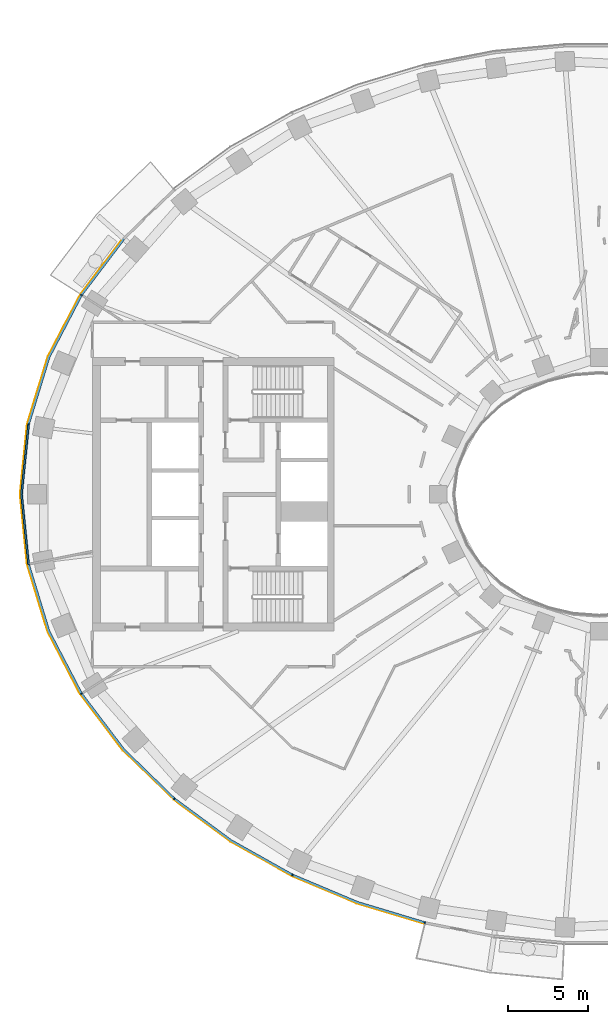
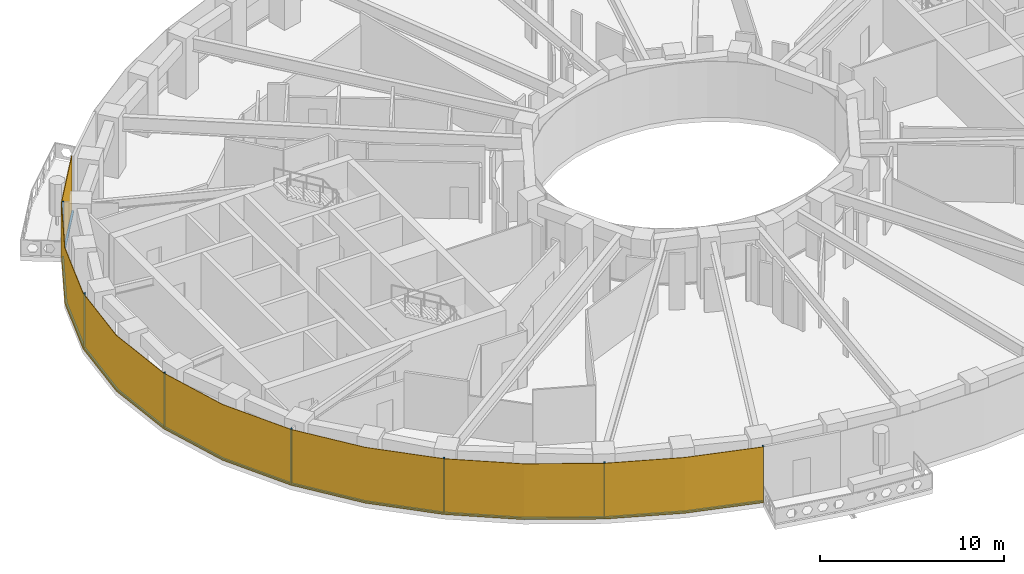
# One storey, part 8 of 16: 14 members, 1 curtain wall.
"""IFC4 building model written with IfcOpenShell, lengths in metres."""

from ifc_helpers import new_model, si_unit, direction, frame, origin, origin_2d, place, context, subcontext, project, spatial, polyline, rectangle, outline, extrude, material, layer, layer_set, material_profile, profile_set, type_object, element, aggregate, save


model = new_model("IFC4")

# Units and contexts
model_context = context("Model", 3, precision=1e-05, world=origin(), true_north=direction((0.0, 1.0)))
body_context = subcontext(model_context, "Body", "Model", "MODEL_VIEW")
ifc_project = project(units=[si_unit("LENGTHUNIT", "METRE"), si_unit("AREAUNIT", "SQUARE_METRE"), si_unit("VOLUMEUNIT", "CUBIC_METRE"), si_unit("PLANEANGLEUNIT", "RADIAN"), si_unit("MASSUNIT", "GRAM", prefix="KILO")], contexts=[model_context])

# Member
ifc_material_1 = material(Name="Aluminium 6063-T6 black anodised", Category="aluminium")
ifc_material_profile = material_profile(ifc_material_1, rectangle(XDim=0.1201171875, YDim=0.06005859375, at=origin_2d()), Name="120x60")
ifc_profile_set = profile_set([ifc_material_profile], Name="Aluminium 6063-T6 black anodised")
member_type_1 = type_object("IfcMemberType", Name="ENV-MULLION-A-120", PredefinedType="MULLION", material=ifc_profile_set)
site_placement = place(None, origin())
building_placement = place(site_placement, origin())
storey_placement = place(building_placement, frame((0.0, 0.0, 154.0)))
member_1_placement = place(storey_placement, frame((-32.177490234375, 12.385498046875, 0.0), z_axis=(0.0, 0.0, 1.0), x_axis=(0.844829880882, -0.53503501976, 0.0)))
member_1 = element("IfcMember", 1, at=member_1_placement, type_object=member_type_1, Name="Mullion A radial 21", PredefinedType="MULLION", context=body_context, shape_type="SweptSolid", body=[
    extrude(rectangle(XDim=0.1201171875, YDim=0.06005859375, at=origin_2d()), origin(), (0.0, 0.0, 1.0), 3.699951171875),
])

member_2_placement = place(storey_placement, frame((-35.470947265625, 4.340576171875, 0.0), z_axis=(0.0, 0.0, 1.0), x_axis=(0.980379083141, -0.19712141776, 0.0)))
member_2 = element("IfcMember", 2, at=member_2_placement, type_object=member_type_1, Name="Mullion A radial 23", PredefinedType="MULLION", context=body_context, shape_type="SweptSolid", body=[
    extrude(rectangle(XDim=0.1201171875, YDim=0.06005859375, at=origin_2d()), origin(), (0.0, 0.0, 1.0), 3.699951171875),
])

member_3_placement = place(storey_placement, frame((-35.470947265625, -4.340576171875, 0.0), z_axis=(0.0, 0.0, 1.0), x_axis=(0.980379083141, 0.19712141776, 0.0)))
member_3 = element("IfcMember", 3, at=member_3_placement, type_object=member_type_1, Name="Mullion A radial 25", PredefinedType="MULLION", context=body_context, shape_type="SweptSolid", body=[
    extrude(rectangle(XDim=0.1201171875, YDim=0.06005859375, at=origin_2d()), origin(), (0.0, 0.0, 1.0), 3.699951171875),
])

member_4_placement = place(storey_placement, frame((-32.177490234375, -12.385498046875, 0.0), z_axis=(0.0, 0.0, 1.0), x_axis=(0.844829880882, 0.53503501976, 0.0)))
member_4 = element("IfcMember", 4, at=member_4_placement, type_object=member_type_1, Name="Mullion A radial 27", PredefinedType="MULLION", context=body_context, shape_type="SweptSolid", body=[
    extrude(rectangle(XDim=0.1201171875, YDim=0.06005859375, at=origin_2d()), origin(), (0.0, 0.0, 1.0), 3.699951171875),
])

member_5_placement = place(storey_placement, frame((-26.403564453125, -18.9130859375, 0.0), z_axis=(0.0, 0.0, 1.0), x_axis=(0.646451313783, 0.762955240435, 0.0)))
member_5 = element("IfcMember", 5, at=member_5_placement, type_object=member_type_1, Name="Mullion A radial 29", PredefinedType="MULLION", context=body_context, shape_type="SweptSolid", body=[
    extrude(rectangle(XDim=0.1201171875, YDim=0.06005859375, at=origin_2d()), origin(), (0.0, 0.0, 1.0), 3.699951171875),
])

member_6_placement = place(storey_placement, frame((-19.06787109375, -23.6474609375, 0.0), z_axis=(0.0, 0.0, 1.0), x_axis=(0.439237769837, 0.898370848563, 0.0)))
member_6 = element("IfcMember", 6, at=member_6_placement, type_object=member_type_1, Name="Mullion A radial 31", PredefinedType="MULLION", context=body_context, shape_type="SweptSolid", body=[
    extrude(rectangle(XDim=0.1201171875, YDim=0.06005859375, at=origin_2d()), origin(), (0.0, 0.0, 1.0), 3.699951171875),
])

member_7_placement = place(storey_placement, frame((-10.84326171875, -26.60498046875, 0.0), z_axis=(0.0, 0.0, 1.0), x_axis=(0.239799081534, 0.970822538106, 0.0)))
member_7 = element("IfcMember", 7, at=member_7_placement, type_object=member_type_1, Name="Mullion A radial 33", PredefinedType="MULLION", context=body_context, shape_type="SweptSolid", body=[
    extrude(rectangle(XDim=0.1201171875, YDim=0.06005859375, at=origin_2d()), origin(), (0.0, 0.0, 1.0), 3.699951171875),
])

ifc_material_2 = material(Name="Aluminium 6063-T6 black anodised", Category="aluminium")
member_type_2 = type_object("IfcMemberType", Name="ENV-TRANSOM-A", PredefinedType="USERDEFINED", material=ifc_material_2)
member_8_placement = place(storey_placement, origin())
member_8 = element("IfcMember", 8, at=member_8_placement, type_object=member_type_2, Name="Transom A radial 20-21", ObjectType="TRANSOM", PredefinedType="USERDEFINED", context=body_context, shape_type="SweptSolid", body=[
    extrude(outline(polyline([(-29.595703125, 15.890869140625), (-32.211181640625, 12.43994140625), (-32.109375, 12.37548828125), (-29.505615234375, 15.811279296875), (-29.595703125, 15.890869140625)])), origin(), (0.0, 0.0, 1.0), 0.10009765625),
])

member_9_placement = place(storey_placement, origin())
member_9 = element("IfcMember", 9, at=member_9_placement, type_object=member_type_2, Name="Transom A radial 21-23", ObjectType="TRANSOM", PredefinedType="USERDEFINED", context=body_context, shape_type="SweptSolid", body=[
    extrude(outline(polyline([(-32.240966796875, 12.392578125), (-34.251220703125, 8.53662109375), (-35.521484375, 4.379150390625), (-35.4033203125, 4.355224609375), (-34.139892578125, 8.490966796875), (-32.139404296875, 12.328369140625), (-32.240966796875, 12.392578125)])), origin(), (0.0, 0.0, 1.0), 0.10009765625),
])

member_10_placement = place(storey_placement, origin())
member_10 = element("IfcMember", 10, at=member_10_placement, type_object=member_type_2, Name="Transom A radial 23-25", ObjectType="TRANSOM", PredefinedType="USERDEFINED", context=body_context, shape_type="SweptSolid", body=[
    extrude(outline(polyline([(-35.532470703125, 4.324462890625), (-35.9677734375, 0.0), (-35.532470703125, -4.324462890625), (-35.414306640625, -4.30078125), (-35.84716796875, 0.0), (-35.414306640625, 4.30078125), (-35.532470703125, 4.324462890625)])), origin(), (0.0, 0.0, 1.0), 0.10009765625),
])

member_11_placement = place(storey_placement, origin())
member_11 = element("IfcMember", 11, at=member_11_placement, type_object=member_type_2, Name="Transom A radial 25-27", ObjectType="TRANSOM", PredefinedType="USERDEFINED", context=body_context, shape_type="SweptSolid", body=[
    extrude(outline(polyline([(-35.521484375, -4.379150390625), (-34.251220703125, -8.53662109375), (-32.240966796875, -12.392578125), (-32.139404296875, -12.328369140625), (-34.139892578125, -8.490966796875), (-35.4033203125, -4.355224609375), (-35.521484375, -4.379150390625)])), origin(), (0.0, 0.0, 1.0), 0.10009765625),
])

member_12_placement = place(storey_placement, origin())
member_12 = element("IfcMember", 12, at=member_12_placement, type_object=member_type_2, Name="Transom A radial 27-29", ObjectType="TRANSOM", PredefinedType="USERDEFINED", context=body_context, shape_type="SweptSolid", body=[
    extrude(outline(polyline([(-32.211181640625, -12.43994140625), (-29.58349609375, -15.906982421875), (-26.46240234375, -18.939208984375), (-26.384765625, -18.847412109375), (-29.493408203125, -15.8271484375), (-32.109375, -12.37548828125), (-32.211181640625, -12.43994140625)])), origin(), (0.0, 0.0, 1.0), 0.10009765625),
])

member_13_placement = place(storey_placement, origin())
member_13 = element("IfcMember", 13, at=member_13_placement, type_object=member_type_2, Name="Transom A radial 29-31", ObjectType="TRANSOM", PredefinedType="USERDEFINED", context=body_context, shape_type="SweptSolid", body=[
    extrude(outline(polyline([(-26.419921875, -18.975341796875), (-22.9150390625, -21.556884765625), (-19.11865234375, -23.687744140625), (-19.06591796875, -23.57958984375), (-22.85009765625, -21.455810546875), (-26.342041015625, -18.883544921875), (-26.419921875, -18.975341796875)])), origin(), (0.0, 0.0, 1.0), 0.10009765625),
])

member_14_placement = place(storey_placement, origin())
member_14 = element("IfcMember", 14, at=member_14_placement, type_object=member_type_2, Name="Transom A radial 31-33", ObjectType="TRANSOM", PredefinedType="USERDEFINED", context=body_context, shape_type="SweptSolid", body=[
    extrude(outline(polyline([(-19.068359375, -23.71240234375), (-15.054443359375, -25.400146484375), (-10.884521484375, -26.655029296875), (-10.855712890625, -26.53857421875), (-15.013916015625, -25.287109375), (-19.015380859375, -23.604248046875), (-19.068359375, -23.71240234375)])), origin(), (0.0, 0.0, 1.0), 0.10009765625),
])

# Site, building, storey
site = spatial("IfcSite", under=ifc_project, at=site_placement, CompositionType="ELEMENT")
building = spatial("IfcBuilding", under=site, at=building_placement, Name="Noorbagh Ring Tower", CompositionType="ELEMENT")
storey = spatial("IfcBuildingStorey", under=building, at=storey_placement, Name="L35", CompositionType="ELEMENT", Elevation=154.0)

# Curtain wall
ifc_material_3 = material(Name="Glass dark tinted laminated", Category="glass")
ifc_layer = layer(ifc_material_3, 0.031982421875)
ifc_layer_set = layer_set([ifc_layer], Name="Glass dark tinted laminated")
curtain_wall_type = type_object("IfcCurtainWallType", Name="ENV-CW-A", PredefinedType="NOTDEFINED", material=ifc_layer_set)
curtain_wall_placement = place(storey_placement, origin())
curtain_wall = element("IfcCurtainWall", 15, at=curtain_wall_placement, inside=storey, type_object=curtain_wall_type, Name="Curtain wall A R20", PredefinedType="NOTDEFINED", context=body_context, shape_type="SweptSolid", body=[
    extrude(outline(polyline([(-29.61962890625, 15.912109375), (-32.255126953125, 12.434814453125), (-34.281005859375, 8.548828125), (-35.561279296875, 4.358642578125), (-36.0, 0.0), (-35.561279296875, -4.358642578125), (-34.281005859375, -8.548828125), (-32.255126953125, -12.434814453125), (-29.607666015625, -15.927978515625), (-26.463134765625, -18.9833984375), (-22.9326171875, -21.583740234375), (-19.108154296875, -23.730224609375), (-15.065185546875, -25.430419921875), (-10.884521484375, -26.6884765625), (-10.876708984375, -26.657470703125), (-15.054443359375, -25.400146484375), (-19.093994140625, -23.701416015625), (-22.9150390625, -21.556884765625), (-26.4423828125, -18.958740234375), (-29.58349609375, -15.906982421875), (-32.22802734375, -12.41748046875), (-34.251220703125, -8.53662109375), (-35.529541015625, -4.352294921875), (-35.9677734375, 0.0), (-35.529541015625, 4.352294921875), (-34.251220703125, 8.53662109375), (-32.22802734375, 12.41748046875), (-29.595703125, 15.890869140625), (-29.61962890625, 15.912109375)])), origin(), (0.0, 0.0, 1.0), 3.699951171875),
])

aggregate(curtain_wall, [member_1, member_2, member_3, member_4, member_5, member_6, member_7, member_8, member_9, member_10, member_11, member_12, member_13, member_14])

save(model, "model.ifc")
